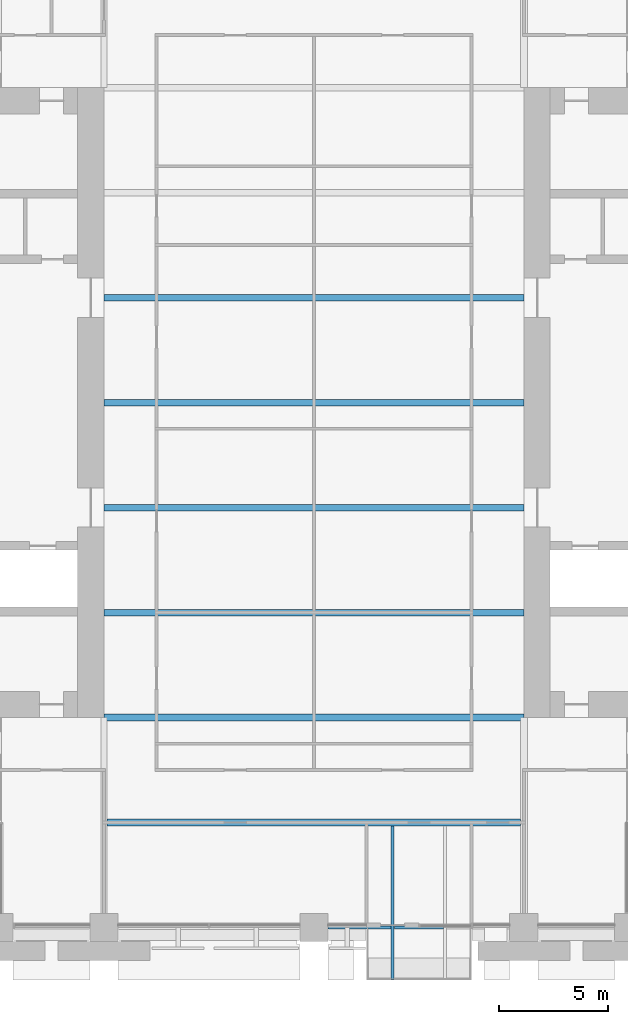
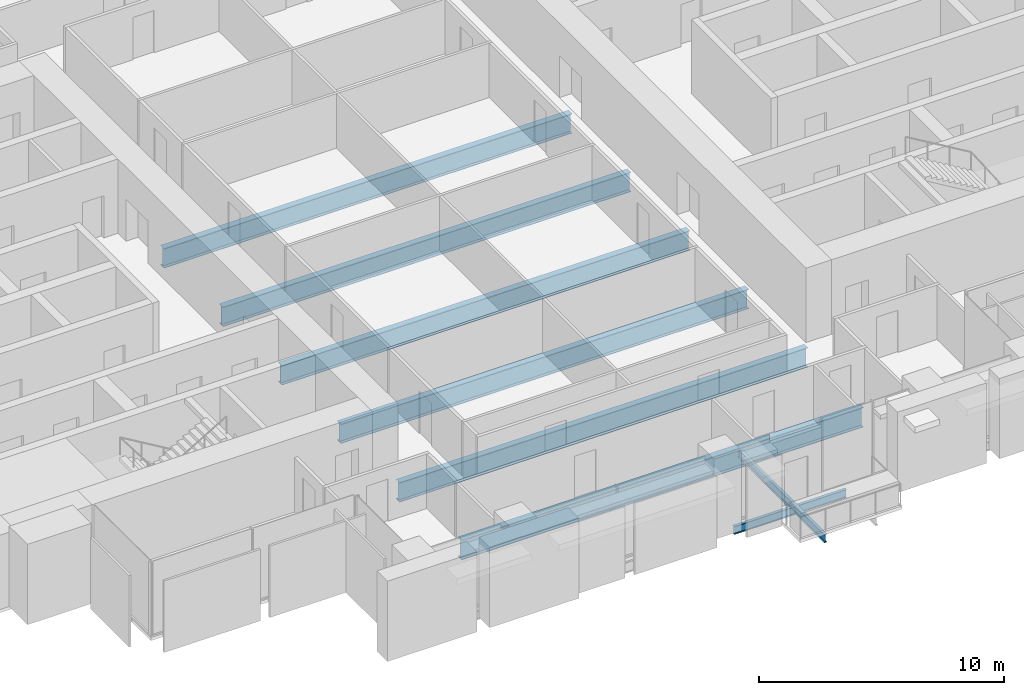
# One storey, part 3 of 15: 9 beams.
"""IFC4 building model written with IfcOpenShell, lengths in metres."""

from ifc_helpers import new_model, si_unit, direction, frame, origin, origin_2d, place, context, subcontext, project, spatial, i_section, extrude, material, material_profile, profile_set, type_object, element, save


model = new_model("IFC4")

# Units and contexts
model_context = context("Model", 3, precision=1e-05, world=origin(), true_north=direction((0.0, 1.0)))
body_context = subcontext(model_context, "Body", "Model", "MODEL_VIEW")
ifc_project = project(units=[si_unit("LENGTHUNIT", "METRE"), si_unit("AREAUNIT", "SQUARE_METRE"), si_unit("VOLUMEUNIT", "CUBIC_METRE"), si_unit("PLANEANGLEUNIT", "RADIAN"), si_unit("MASSUNIT", "GRAM", prefix="KILO")], contexts=[model_context])

# Site, building, storey
site_placement = place(None, origin())
site = spatial("IfcSite", under=ifc_project, at=site_placement, CompositionType="ELEMENT")
building_placement = place(site_placement, origin())
building = spatial("IfcBuilding", under=site, at=building_placement, Name="Baori Bourse Tower", CompositionType="ELEMENT")
storey_placement = place(building_placement, frame((0.0, 0.0, 83.0)))
storey = spatial("IfcBuildingStorey", under=building, at=storey_placement, Name="L18", CompositionType="ELEMENT", Elevation=83.0)

# Beams
ifc_material_1 = material(Name="Steel A992 Gr 50", Category="steel")
ifc_material_profile_1 = material_profile(ifc_material_1, i_section(OverallWidth=0.140380859375, OverallDepth=0.40380859375, WebThickness=0.007080078125, FlangeThickness=0.01123046875, at=origin_2d()), Name="W16x31")
ifc_profile_set_1 = profile_set([ifc_material_profile_1], Name="Steel A992 Gr 50")
beam_type_1 = type_object("IfcBeamType", Name="Balcony beam W16x31", PredefinedType="BEAM", material=ifc_profile_set_1)
beam_1_placement = place(storey_placement, frame((32.39990234375, -2.39990234375, -0.36181640625), z_axis=(0.0, 1.0, 0.0), x_axis=(-1.0, 0.0, 0.0)))
element("IfcBeam", 1, at=beam_1_placement, inside=storey, type_object=beam_type_1, Name="Balcony beam L18", PredefinedType="BEAM", context=body_context, shape_type="SweptSolid", body=[
    extrude(i_section(OverallWidth=0.140380859375, OverallDepth=0.40380859375, WebThickness=0.007080078125, FlangeThickness=0.01123046875, at=origin_2d()), origin(), (0.0, 0.0, 1.0), 7.050048828125),
])
ifc_material_2 = material(Name="Steel A992 Gr 50", Category="steel")
ifc_material_profile_2 = material_profile(ifc_material_2, i_section(OverallWidth=0.140380859375, OverallDepth=0.40380859375, WebThickness=0.007080078125, FlangeThickness=0.01123046875, at=origin_2d()), Name="W16x31")
ifc_profile_set_2 = profile_set([ifc_material_profile_2], Name="Steel A992 Gr 50")
beam_type_2 = type_object("IfcBeamType", Name="Edge beam W16x31", PredefinedType="BEAM", material=ifc_profile_set_2)
beam_2_placement = place(storey_placement, frame((29.449951171875, 0.0, -0.36181640625), z_axis=(1.0, 0.0, 0.0), x_axis=(0.0, 1.0, 0.0)))
element("IfcBeam", 2, at=beam_2_placement, inside=storey, type_object=beam_type_2, Name="Edge beam L18", PredefinedType="BEAM", context=body_context, shape_type="SweptSolid", body=[
    extrude(i_section(OverallWidth=0.140380859375, OverallDepth=0.40380859375, WebThickness=0.007080078125, FlangeThickness=0.01123046875, at=origin_2d()), origin(), (0.0, 0.0, 1.0), 2.8798828125),
])
beam_3_placement = place(storey_placement, frame((32.47021484375, 0.0, -0.36181640625), z_axis=(1.0, 0.0, 0.0), x_axis=(0.0, 1.0, 0.0)))
element("IfcBeam", 3, at=beam_3_placement, inside=storey, type_object=beam_type_2, Name="Edge beam L18", PredefinedType="BEAM", context=body_context, shape_type="SweptSolid", body=[
    extrude(i_section(OverallWidth=0.140380859375, OverallDepth=0.40380859375, WebThickness=0.007080078125, FlangeThickness=0.01123046875, at=origin_2d()), origin(), (0.0, 0.0, 1.0), 2.259521484375),
])
ifc_material_3 = material(Name="Steel A992 Gr 50", Category="steel")
ifc_material_profile_3 = material_profile(ifc_material_3, i_section(OverallWidth=0.2998046875, OverallDepth=0.97021484375, WebThickness=0.01611328125, FlangeThickness=0.02099609375, at=origin_2d()), Name="W40x149")
ifc_profile_set_3 = profile_set([ifc_material_profile_3], Name="Steel A992 Gr 50")
beam_type_3 = type_object("IfcBeamType", Name="Floor beam W40x149", PredefinedType="BEAM", material=ifc_profile_set_3)
for number, where, z_axis, x_axis, name in (
    (4, (19.199951171875, 9.60009765625, -0.64501953125), (1.0, 0.0, 0.0), (0.0, 1.0, 0.0), "Floor beam L18"),
    (5, (19.199951171875, 14.39990234375, -0.64501953125), (1.0, 0.0, 0.0), (0.0, 1.0, 0.0), "Floor beam L18"),
    (6, (19.199951171875, 19.199951171875, -0.64501953125), (1.0, 0.0, 0.0), (0.0, 1.0, 0.0), "Floor beam L18"),
    (7, (19.199951171875, 24.0, -0.64501953125), (1.0, 0.0, 0.0), (0.0, 1.0, 0.0), "Floor beam L18"),
    (8, (19.199951171875, 28.800048828125, -0.64501953125), (1.0, 0.0, 0.0), (0.0, 1.0, 0.0), "Floor beam L18"),
):
    element("IfcBeam", number, at=place(storey_placement, frame(where, z_axis=z_axis, x_axis=x_axis)), inside=storey, type_object=beam_type_3, Name=name, PredefinedType="BEAM", context=body_context, shape_type="SweptSolid", body=[
        extrude(i_section(OverallWidth=0.2998046875, OverallDepth=0.97021484375, WebThickness=0.01611328125, FlangeThickness=0.02099609375, at=origin_2d()), origin(), (0.0, 0.0, 1.0), 19.199951171875),
    ])
ifc_material_4 = material(Name="Steel A992 Gr 50", Category="steel")
ifc_material_profile_4 = material_profile(ifc_material_4, i_section(OverallWidth=0.2998046875, OverallDepth=0.990478515625, WebThickness=0.0166015625, FlangeThickness=0.030517578125, at=origin_2d()), Name="W40x183")
ifc_profile_set_4 = profile_set([ifc_material_profile_4], Name="Steel A992 Gr 50")
beam_type_4 = type_object("IfcBeamType", Name="Floor beam W40x183", PredefinedType="BEAM", material=ifc_profile_set_4)
beam_4_placement = place(storey_placement, frame((19.345947265625, 4.800048828125, -0.6552734375), z_axis=(1.0, 0.0, 0.0), x_axis=(0.0, 1.0, 0.0)))
element("IfcBeam", 9, at=beam_4_placement, inside=storey, type_object=beam_type_4, Name="Floor beam L18", PredefinedType="BEAM", context=body_context, shape_type="SweptSolid", body=[
    extrude(i_section(OverallWidth=0.2998046875, OverallDepth=0.990478515625, WebThickness=0.0166015625, FlangeThickness=0.030517578125, at=origin_2d()), origin(), (0.0, 0.0, 1.0), 18.901611328125),
])

save(model, "model.ifc")
